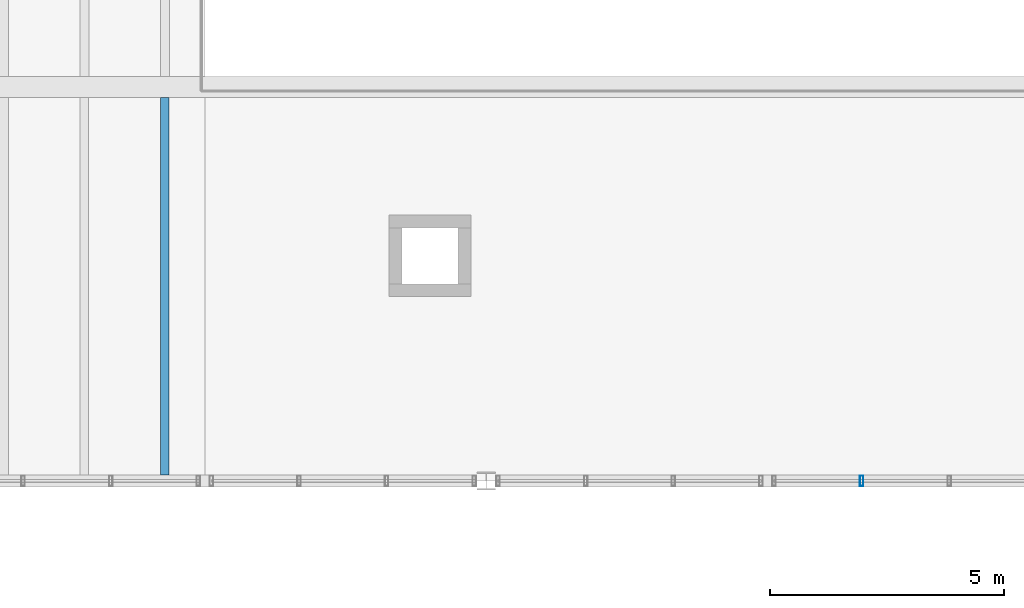
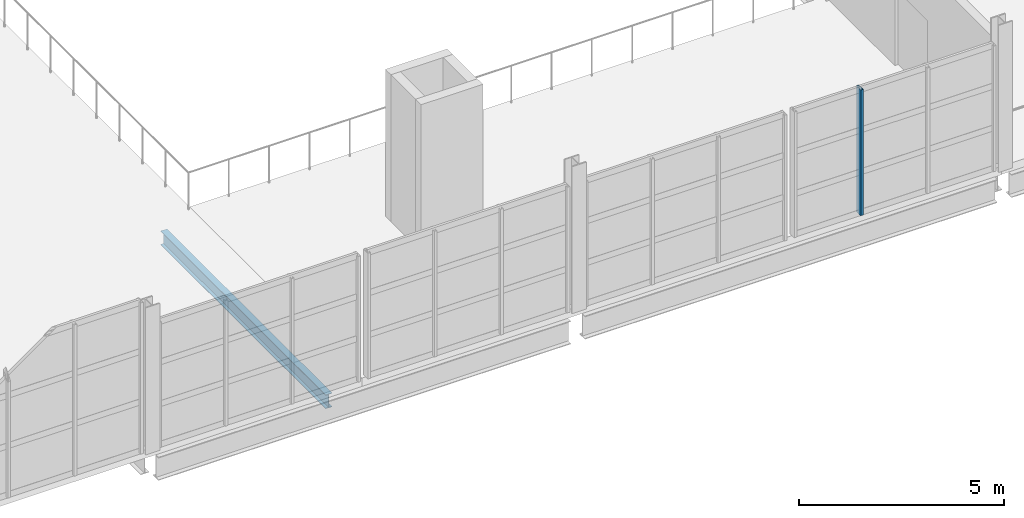
# One storey, part 17 of 78: 1 beam, 1 member, 1 element without a shape of its own.
"""IFC4 building model written with IfcOpenShell, lengths in metres."""

from ifc_helpers import new_model, si_unit, direction, frame, origin, origin_2d, place, context, subcontext, project, spatial, hollow_rectangle, i_section, extrude, material, material_profile, profile_set, type_object, element, aggregate, save


model = new_model("IFC4")

# Units and contexts
model_context = context("Model", 3, precision=1e-05, world=origin(), true_north=direction((0.0, 1.0)))
body_context = subcontext(model_context, "Body", "Model", "MODEL_VIEW")
ifc_project = project(units=[si_unit("LENGTHUNIT", "METRE"), si_unit("AREAUNIT", "SQUARE_METRE"), si_unit("VOLUMEUNIT", "CUBIC_METRE"), si_unit("PLANEANGLEUNIT", "RADIAN"), si_unit("MASSUNIT", "GRAM", prefix="KILO")], contexts=[model_context])

# Site, building, storey
site_placement = place(None, origin())
site = spatial("IfcSite", under=ifc_project, at=site_placement, CompositionType="ELEMENT")
building_placement = place(site_placement, origin())
building = spatial("IfcBuilding", under=site, at=building_placement, Name="Kelmvaro Bay Concert Hall", CompositionType="ELEMENT")
storey_placement = place(building_placement, frame((0.0, 0.0, 9.300048828125)))
storey = spatial("IfcBuildingStorey", under=building, at=storey_placement, Name="L02", CompositionType="ELEMENT", Elevation=9.300048828125)

# Curtain wall, member
ifc_material_1 = material(Name="Anodised Aluminium and Low-E Insulated Glazing", Category="aluminium")
curtain_wall_type = type_object("IfcCurtainWallType", Name="Upper Salon Waterfront Curtain Wall 4050", PredefinedType="USERDEFINED", material=ifc_material_1)
curtain_wall_placement = place(storey_placement, origin())
curtain_wall = element("IfcCurtainWall", 1, at=curtain_wall_placement, inside=storey, type_object=curtain_wall_type, Name="Unitised Curtain Wall CW-L02-081", ObjectType="UNITISED GLAZING", PredefinedType="USERDEFINED")
ifc_material_2 = material(Name="Anodised Extruded Aluminium 6063-T6", Category="aluminium")
ifc_material_profile_1 = material_profile(ifc_material_2, hollow_rectangle(XDim=0.074951171875, YDim=0.219970703125, WallThickness=0.00439453125, at=origin_2d()), Name="ALU-MUL-220X75")
ifc_profile_set_1 = profile_set([ifc_material_profile_1], Name="Anodised Extruded Aluminium 6063-T6")
member_type = type_object("IfcMemberType", Name="Curtain Mullion Heavy ALU 220x75", PredefinedType="MULLION", material=ifc_profile_set_1)
member_placement = place(storey_placement, frame((80.008544921875, 7.199951171875, 0.0), z_axis=(0.0, 0.0, 1.0), x_axis=(1.0, 0.0, 0.0)))
member = element("IfcMember", 2, at=member_placement, type_object=member_type, Name="CW-L02-081 Mullion 03", PredefinedType="MULLION", context=body_context, shape_type="SweptSolid", body=[
    extrude(hollow_rectangle(XDim=0.074951171875, YDim=0.219970703125, WallThickness=0.00439453125, at=origin_2d()), origin(), (0.0, 0.0, 1.0), 3.739013671875),
])
aggregate(curtain_wall, [member])

# Beam
ifc_material_3 = material(Name="Steel ASTM A992 Grade 50", Category="steel")
ifc_material_profile_2 = material_profile(ifc_material_3, i_section(OverallWidth=0.179931640625, OverallDepth=0.4140625, WebThickness=0.009765625, FlangeThickness=0.01611328125, at=origin_2d()), Name="W16X50")
ifc_profile_set_2 = profile_set([ifc_material_profile_2], Name="Steel ASTM A992 Grade 50")
beam_type = type_object("IfcBeamType", Name="Terrace Composite Joist W16x50", PredefinedType="JOIST", material=ifc_profile_set_2)
beam_placement = place(storey_placement, frame((65.142822265625, 7.327880859375, -0.45703125), z_axis=(0.0, 1.0, 0.0), x_axis=(-1.0, 0.0, 0.0)))
element("IfcBeam", 3, at=beam_placement, inside=storey, type_object=beam_type, Name="L02 Floor Joist JST-L02-0916", PredefinedType="JOIST", context=body_context, shape_type="SweptSolid", body=[
    extrude(i_section(OverallWidth=0.179931640625, OverallDepth=0.4140625, WebThickness=0.009765625, FlangeThickness=0.01611328125, at=origin_2d()), origin(), (0.0, 0.0, 1.0), 8.047119140625),
])

save(model, "model.ifc")
